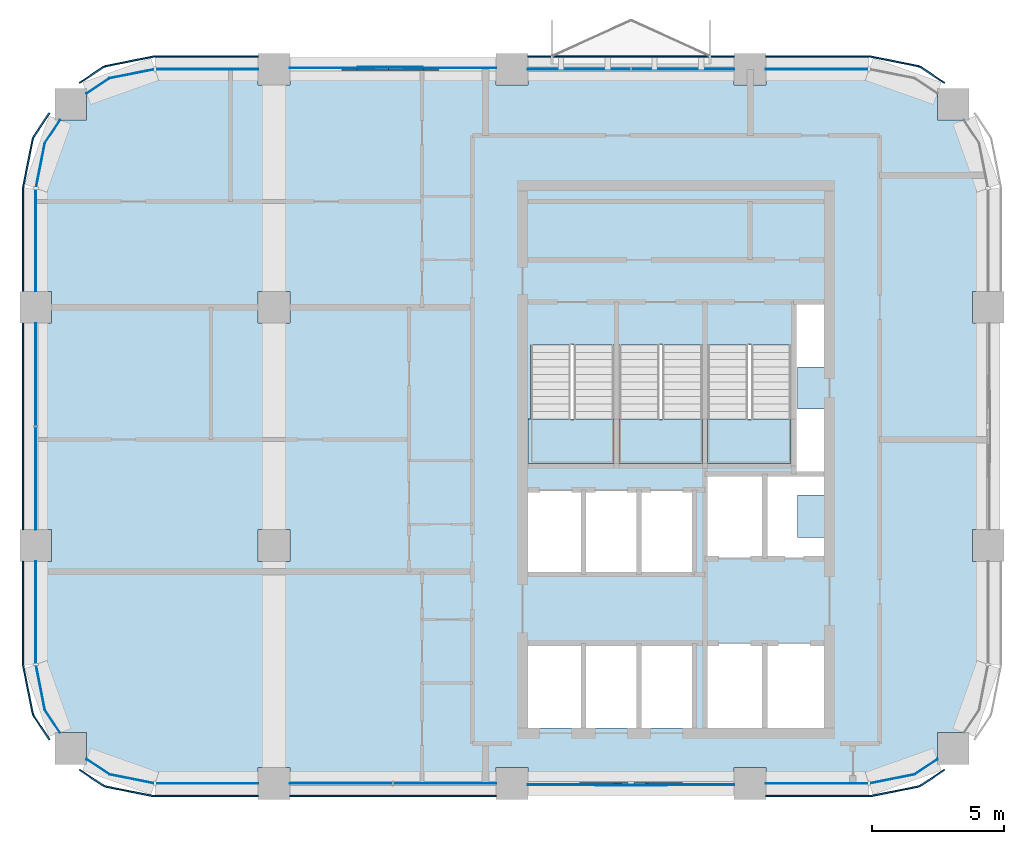
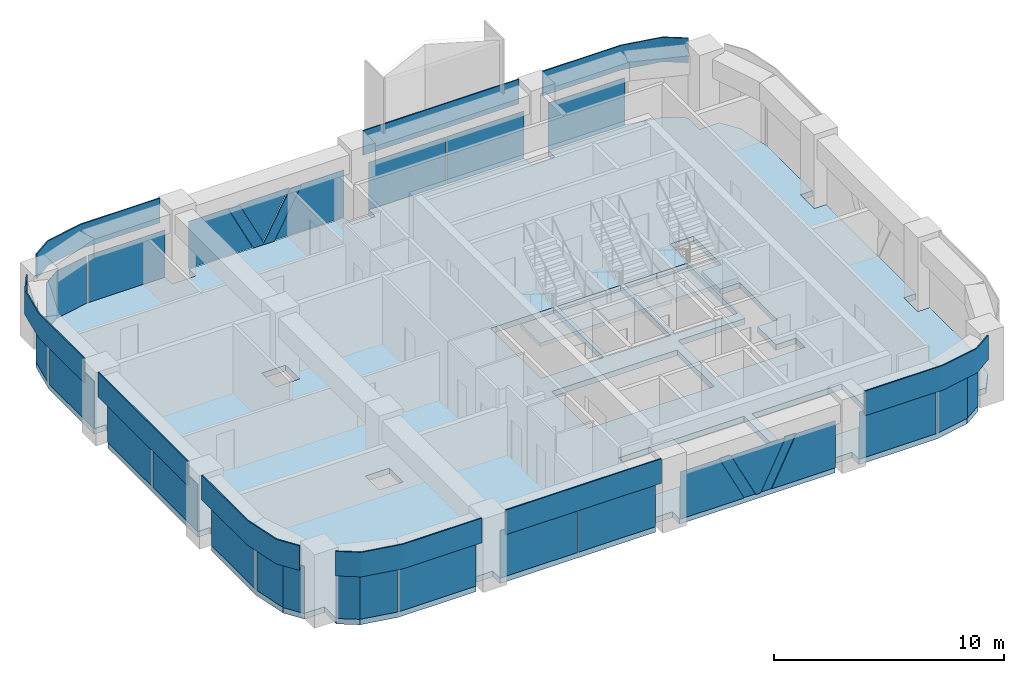
# One storey, part 5 of 10: 35 plates, 4 slabs, 14 elements without a shape of their own.
"""IFC4 building model written with IfcOpenShell, lengths in metres."""

from ifc_helpers import new_model, si_unit, direction, frame, origin, origin_2d, place, context, subcontext, project, spatial, polyline, rectangle, outline, extrude, material, layer, layer_set, type_object, element, aggregate, save


model = new_model("IFC4")

# Units and contexts
model_context = context("Model", 3, precision=1e-05, world=origin(), true_north=direction((0.0, 1.0)))
body_context = subcontext(model_context, "Body", "Model", "MODEL_VIEW")
ifc_project = project(units=[si_unit("LENGTHUNIT", "METRE"), si_unit("AREAUNIT", "SQUARE_METRE"), si_unit("VOLUMEUNIT", "CUBIC_METRE"), si_unit("PLANEANGLEUNIT", "RADIAN"), si_unit("MASSUNIT", "GRAM", prefix="KILO")], contexts=[model_context])

# Site, building, storey
site_placement = place(None, origin())
site = spatial("IfcSite", under=ifc_project, at=site_placement, CompositionType="ELEMENT")
building_placement = place(site_placement, origin())
building = spatial("IfcBuilding", under=site, at=building_placement, Name="Tessera Arch", CompositionType="ELEMENT")
storey_placement = place(building_placement, frame((0.0, 0.0, 242.300048828125)))
storey = spatial("IfcBuildingStorey", under=building, at=storey_placement, Name="L58", CompositionType="ELEMENT", Elevation=242.300048828125)

# Curtain wall, plates
ifc_material_1 = material(Name="CW1 curtain wall")
curtain_wall_type_1 = type_object("IfcCurtainWallType", Name="CW1 curtain wall", PredefinedType="NOTDEFINED", material=ifc_material_1)
curtain_wall_1_placement = place(storey_placement, origin())
curtain_wall_1 = element("IfcCurtainWall", 1, at=curtain_wall_1_placement, inside=storey, type_object=curtain_wall_type_1, Name="CW1 curtain wall N54.18/1 L58", PredefinedType="NOTDEFINED")
ifc_material_2 = material(Name="Clear low-e glass", Category="glass")
ifc_material_3 = material(Name="Clear low-e glass", Category="glass")
ifc_layer_1 = layer(ifc_material_3, 0.028076171875)
ifc_layer_set_1 = layer_set([ifc_layer_1], Name="CW1 glass panel")
plate_type_1 = type_object("IfcPlateType", Name="CW1 glass panel", PredefinedType="CURTAIN_PANEL", material=ifc_layer_set_1)
plate_1_placement = place(storey_placement, frame((42.465087890625, 54.0, 0.0), z_axis=(0.0, 0.0, 1.0), x_axis=(-1.0, 0.0, 0.0)))
plate_1 = element("IfcPlate", 2, at=plate_1_placement, type_object=plate_type_1, material=ifc_material_2, Name="CW1 glass panel N54.18/1 1.1.1", PredefinedType="CURTAIN_PANEL", context=body_context, shape_type="SweptSolid", body=[
    extrude(rectangle(XDim=3.8701171875, YDim=0.028076171875, at=origin_2d()), origin(), (0.0, 0.0, 1.0), 2.5),
])
plate_2_placement = place(storey_placement, frame((38.534912109375, 54.0, 0.0), z_axis=(0.0, 0.0, 1.0), x_axis=(-1.0, 0.0, 0.0)))
plate_2 = element("IfcPlate", 3, at=plate_2_placement, type_object=plate_type_1, material=ifc_material_2, Name="CW1 glass panel N54.18/1 1.2.1", PredefinedType="CURTAIN_PANEL", context=body_context, shape_type="SweptSolid", body=[
    extrude(rectangle(XDim=3.8701171875, YDim=0.028076171875, at=origin_2d()), origin(), (0.0, 0.0, 1.0), 2.5),
])

curtain_wall_2_placement = place(storey_placement, origin())
curtain_wall_2 = element("IfcCurtainWall", 4, at=curtain_wall_2_placement, inside=storey, type_object=curtain_wall_type_1, Name="CW1 curtain wall W18.27/1 L58", PredefinedType="NOTDEFINED")
plate_3_placement = place(storey_placement, frame((18.0, 42.465087890625, 0.0), z_axis=(0.0, 0.0, 1.0), x_axis=(0.0, -1.0, 0.0)))
plate_3 = element("IfcPlate", 5, at=plate_3_placement, type_object=plate_type_1, material=ifc_material_2, Name="CW1 glass panel W18.27/1 1.1.1", PredefinedType="CURTAIN_PANEL", context=body_context, shape_type="SweptSolid", body=[
    extrude(rectangle(XDim=3.8701171875, YDim=0.028076171875, at=origin_2d()), origin(), (0.0, 0.0, 1.0), 2.5),
])
plate_4_placement = place(storey_placement, frame((18.0, 38.534912109375, 0.0), z_axis=(0.0, 0.0, 1.0), x_axis=(0.0, -1.0, 0.0)))
plate_4 = element("IfcPlate", 6, at=plate_4_placement, type_object=plate_type_1, material=ifc_material_2, Name="CW1 glass panel W18.27/1 1.2.1", PredefinedType="CURTAIN_PANEL", context=body_context, shape_type="SweptSolid", body=[
    extrude(rectangle(XDim=3.8701171875, YDim=0.028076171875, at=origin_2d()), origin(), (0.0, 0.0, 1.0), 2.5),
])

curtain_wall_3_placement = place(storey_placement, origin())
curtain_wall_3 = element("IfcCurtainWall", 7, at=curtain_wall_3_placement, inside=storey, type_object=curtain_wall_type_1, Name="CW1 curtain wall S27.18/1 L58", PredefinedType="NOTDEFINED")
plate_5_placement = place(storey_placement, frame((29.534912109375, 27.0, 0.0), z_axis=(0.0, 0.0, 1.0), x_axis=(1.0, 0.0, 0.0)))
plate_5 = element("IfcPlate", 8, at=plate_5_placement, type_object=plate_type_1, material=ifc_material_2, Name="CW1 glass panel S27.18/1 1.1.1", PredefinedType="CURTAIN_PANEL", context=body_context, shape_type="SweptSolid", body=[
    extrude(rectangle(XDim=3.8701171875, YDim=0.028076171875, at=origin_2d()), origin(), (0.0, 0.0, 1.0), 2.5),
])
plate_6_placement = place(storey_placement, frame((33.465087890625, 27.0, 0.0), z_axis=(0.0, 0.0, 1.0), x_axis=(1.0, 0.0, 0.0)))
plate_6 = element("IfcPlate", 9, at=plate_6_placement, type_object=plate_type_1, material=ifc_material_2, Name="CW1 glass panel S27.18/1 1.2.1", PredefinedType="CURTAIN_PANEL", context=body_context, shape_type="SweptSolid", body=[
    extrude(rectangle(XDim=3.8701171875, YDim=0.028076171875, at=origin_2d()), origin(), (0.0, 0.0, 1.0), 2.5),
])

# Plate
ifc_material_4 = material(Name="Pale anodised aluminium panel", Category="aluminium")
ifc_layer_2 = layer(ifc_material_4, 0.06005859375)
ifc_layer_set_2 = layer_set([ifc_layer_2], Name="CW1 spandrel panel")
plate_type_2 = type_object("IfcPlateType", Name="CW1 spandrel panel", PredefinedType="CURTAIN_PANEL", material=ifc_layer_set_2)
plate_7_placement = place(storey_placement, frame((40.5, 54.47998046875, 2.60009765625), z_axis=(0.0, 0.0, 1.0), x_axis=(-1.0, 0.0, 0.0)))
plate_7 = element("IfcPlate", 10, at=plate_7_placement, type_object=plate_type_2, Name="CW1 spandrel panel N54.18/1", PredefinedType="CURTAIN_PANEL", context=body_context, shape_type="SweptSolid", body=[
    extrude(rectangle(XDim=7.800048828125, YDim=0.06005859375, at=origin_2d()), origin(), (0.0, 0.0, 1.0), 1.300048828125),
])

aggregate(curtain_wall_1, [plate_1, plate_2, plate_7])

plate_8_placement = place(storey_placement, frame((17.52001953125, 40.5, 2.60009765625), z_axis=(0.0, 0.0, 1.0), x_axis=(0.0, -1.0, 0.0)))
plate_8 = element("IfcPlate", 11, at=plate_8_placement, type_object=plate_type_2, Name="CW1 spandrel panel W18.27/1", PredefinedType="CURTAIN_PANEL", context=body_context, shape_type="SweptSolid", body=[
    extrude(rectangle(XDim=7.800048828125, YDim=0.06005859375, at=origin_2d()), origin(), (0.0, 0.0, 1.0), 1.300048828125),
])

aggregate(curtain_wall_2, [plate_3, plate_4, plate_8])

plate_9_placement = place(storey_placement, frame((31.5, 26.52001953125, 2.60009765625), z_axis=(0.0, 0.0, 1.0), x_axis=(1.0, 0.0, 0.0)))
plate_9 = element("IfcPlate", 12, at=plate_9_placement, type_object=plate_type_2, Name="CW1 spandrel panel S27.18/1", PredefinedType="CURTAIN_PANEL", context=body_context, shape_type="SweptSolid", body=[
    extrude(rectangle(XDim=7.800048828125, YDim=0.06005859375, at=origin_2d()), origin(), (0.0, 0.0, 1.0), 1.300048828125),
])

aggregate(curtain_wall_3, [plate_5, plate_6, plate_9])

# Curtain wall, plate
ifc_material_5 = material(Name="CW2 curtain wall")
curtain_wall_type_2 = type_object("IfcCurtainWallType", Name="CW2 curtain wall", PredefinedType="NOTDEFINED", material=ifc_material_5)
curtain_wall_4_placement = place(storey_placement, origin())
curtain_wall_4 = element("IfcCurtainWall", 13, at=curtain_wall_4_placement, inside=storey, type_object=curtain_wall_type_2, Name="CW2 curtain wall N54.18/0 L58", PredefinedType="NOTDEFINED")
ifc_material_6 = material(Name="Clear low-e glass", Category="glass")
ifc_layer_3 = layer(ifc_material_6, 0.028076171875)
ifc_layer_set_3 = layer_set([ifc_layer_3], Name="CW2 glass panel")
plate_type_3 = type_object("IfcPlateType", Name="CW2 glass panel", PredefinedType="CURTAIN_PANEL", material=ifc_layer_set_3)
plate_10_placement = place(storey_placement, frame((47.530029296875, 54.0, 0.0), z_axis=(0.0, 0.0, 1.0), x_axis=(-1.0, 0.0, 0.0)))
plate_10 = element("IfcPlate", 14, at=plate_10_placement, type_object=plate_type_3, material=ifc_material_2, Name="CW2 glass panel N54.18/0 1.1", PredefinedType="CURTAIN_PANEL", context=body_context, shape_type="SweptSolid", body=[
    extrude(rectangle(XDim=3.860107421875, YDim=0.028076171875, at=origin_2d()), origin(), (0.0, 0.0, 1.0), 2.5),
])

# Curtain wall, plates
curtain_wall_5_placement = place(storey_placement, origin())
curtain_wall_5 = element("IfcCurtainWall", 15, at=curtain_wall_5_placement, inside=storey, type_object=curtain_wall_type_2, Name="CW2 curtain wall N54.18/3 L58", PredefinedType="NOTDEFINED")
plate_11_placement = place(storey_placement, frame((24.469970703125, 54.0, 0.0), z_axis=(0.0, 0.0, 1.0), x_axis=(-1.0, 0.0, 0.0)))
plate_11 = element("IfcPlate", 16, at=plate_11_placement, type_object=plate_type_3, material=ifc_material_2, Name="CW2 glass panel N54.18/3 1.1", PredefinedType="CURTAIN_PANEL", context=body_context, shape_type="SweptSolid", body=[
    extrude(rectangle(XDim=3.860107421875, YDim=0.028076171875, at=origin_2d()), origin(), (0.0, 0.0, 1.0), 2.5),
])
plate_12_placement = place(storey_placement, origin())
plate_12 = element("IfcPlate", 17, at=plate_12_placement, type_object=plate_type_3, material=ifc_material_2, Name="CW2 curved glass panel N54.18/3 2.1", PredefinedType="CURTAIN_PANEL", context=body_context, shape_type="SweptSolid", body=[
    extrude(outline(polyline([(20.783447265625, 53.644287109375), (22.46337890625, 53.978515625), (22.4580078125, 54.005859375), (20.7724609375, 53.670654296875), (19.91015625, 53.094482421875), (19.92578125, 53.0712890625), (20.783447265625, 53.644287109375)])), origin(), (0.0, 0.0, 1.0), 2.5),
])

curtain_wall_6_placement = place(storey_placement, origin())
curtain_wall_6 = element("IfcCurtainWall", 18, at=curtain_wall_6_placement, inside=storey, type_object=curtain_wall_type_2, Name="CW2 curtain wall W18.27/0 L58", PredefinedType="NOTDEFINED")
plate_13_placement = place(storey_placement, frame((18.0, 47.530029296875, 0.0), z_axis=(0.0, 0.0, 1.0), x_axis=(0.0, -1.0, 0.0)))
plate_13 = element("IfcPlate", 19, at=plate_13_placement, type_object=plate_type_3, material=ifc_material_2, Name="CW2 glass panel W18.27/0 1.1", PredefinedType="CURTAIN_PANEL", context=body_context, shape_type="SweptSolid", body=[
    extrude(rectangle(XDim=3.860107421875, YDim=0.028076171875, at=origin_2d()), origin(), (0.0, 0.0, 1.0), 2.5),
])
plate_14_placement = place(storey_placement, origin())
plate_14 = element("IfcPlate", 20, at=plate_14_placement, type_object=plate_type_3, material=ifc_material_2, Name="CW2 curved glass panel W18.27/0 2.1", PredefinedType="CURTAIN_PANEL", context=body_context, shape_type="SweptSolid", body=[
    extrude(outline(polyline([(18.355712890625, 51.216552734375), (18.9287109375, 52.07421875), (18.905517578125, 52.08984375), (18.329345703125, 51.2275390625), (17.994140625, 49.5419921875), (18.021484375, 49.53662109375), (18.355712890625, 51.216552734375)])), origin(), (0.0, 0.0, 1.0), 2.5),
])

curtain_wall_7_placement = place(storey_placement, origin())
curtain_wall_7 = element("IfcCurtainWall", 21, at=curtain_wall_7_placement, inside=storey, type_object=curtain_wall_type_2, Name="CW2 curtain wall W18.27/2 L58", PredefinedType="NOTDEFINED")
plate_15_placement = place(storey_placement, frame((18.0, 33.469970703125, 0.0), z_axis=(0.0, 0.0, 1.0), x_axis=(0.0, -1.0, 0.0)))
plate_15 = element("IfcPlate", 22, at=plate_15_placement, type_object=plate_type_3, material=ifc_material_2, Name="CW2 glass panel W18.27/2 1.1", PredefinedType="CURTAIN_PANEL", context=body_context, shape_type="SweptSolid", body=[
    extrude(rectangle(XDim=3.860107421875, YDim=0.028076171875, at=origin_2d()), origin(), (0.0, 0.0, 1.0), 2.5),
])
plate_16_placement = place(storey_placement, origin())
plate_16 = element("IfcPlate", 23, at=plate_16_placement, type_object=plate_type_3, material=ifc_material_2, Name="CW2 curved glass panel W18.27/2 2.1", PredefinedType="CURTAIN_PANEL", context=body_context, shape_type="SweptSolid", body=[
    extrude(outline(polyline([(18.355712890625, 29.783447265625), (18.021484375, 31.46337890625), (17.994140625, 31.4580078125), (18.329345703125, 29.7724609375), (18.905517578125, 28.91015625), (18.9287109375, 28.92578125), (18.355712890625, 29.783447265625)])), origin(), (0.0, 0.0, 1.0), 2.5),
])

curtain_wall_8_placement = place(storey_placement, origin())
curtain_wall_8 = element("IfcCurtainWall", 24, at=curtain_wall_8_placement, inside=storey, type_object=curtain_wall_type_2, Name="CW2 curtain wall S27.18/0 L58", PredefinedType="NOTDEFINED")
plate_17_placement = place(storey_placement, frame((24.469970703125, 27.0, 0.0), z_axis=(0.0, 0.0, 1.0), x_axis=(1.0, 0.0, 0.0)))
plate_17 = element("IfcPlate", 25, at=plate_17_placement, type_object=plate_type_3, material=ifc_material_2, Name="CW2 glass panel S27.18/0 1.1", PredefinedType="CURTAIN_PANEL", context=body_context, shape_type="SweptSolid", body=[
    extrude(rectangle(XDim=3.860107421875, YDim=0.028076171875, at=origin_2d()), origin(), (0.0, 0.0, 1.0), 2.5),
])
plate_18_placement = place(storey_placement, origin())
plate_18 = element("IfcPlate", 26, at=plate_18_placement, type_object=plate_type_3, material=ifc_material_2, Name="CW2 curved glass panel S27.18/0 2.1", PredefinedType="CURTAIN_PANEL", context=body_context, shape_type="SweptSolid", body=[
    extrude(outline(polyline([(20.783447265625, 27.355712890625), (19.92578125, 27.9287109375), (19.91015625, 27.905517578125), (20.7724609375, 27.329345703125), (22.4580078125, 26.994140625), (22.46337890625, 27.021484375), (20.783447265625, 27.355712890625)])), origin(), (0.0, 0.0, 1.0), 2.5),
])

curtain_wall_9_placement = place(storey_placement, origin())
curtain_wall_9 = element("IfcCurtainWall", 27, at=curtain_wall_9_placement, inside=storey, type_object=curtain_wall_type_2, Name="CW2 curtain wall S27.18/3 L58", PredefinedType="NOTDEFINED")
plate_19_placement = place(storey_placement, frame((47.530029296875, 27.0, 0.0), z_axis=(0.0, 0.0, 1.0), x_axis=(1.0, 0.0, 0.0)))
plate_19 = element("IfcPlate", 28, at=plate_19_placement, type_object=plate_type_3, material=ifc_material_2, Name="CW2 glass panel S27.18/3 1.1", PredefinedType="CURTAIN_PANEL", context=body_context, shape_type="SweptSolid", body=[
    extrude(rectangle(XDim=3.860107421875, YDim=0.028076171875, at=origin_2d()), origin(), (0.0, 0.0, 1.0), 2.5),
])
plate_20_placement = place(storey_placement, origin())
plate_20 = element("IfcPlate", 29, at=plate_20_placement, type_object=plate_type_3, material=ifc_material_2, Name="CW2 curved glass panel S27.18/3 2.1", PredefinedType="CURTAIN_PANEL", context=body_context, shape_type="SweptSolid", body=[
    extrude(outline(polyline([(51.216552734375, 27.355712890625), (49.53662109375, 27.021484375), (49.5419921875, 26.994140625), (51.2275390625, 27.329345703125), (52.08984375, 27.905517578125), (52.07421875, 27.9287109375), (51.216552734375, 27.355712890625)])), origin(), (0.0, 0.0, 1.0), 2.5),
])

# Plate
ifc_material_7 = material(Name="Pale anodised aluminium panel", Category="aluminium")
ifc_layer_4 = layer(ifc_material_7, 0.06005859375)
ifc_layer_set_4 = layer_set([ifc_layer_4], Name="CW2 spandrel panel")
plate_type_4 = type_object("IfcPlateType", Name="CW2 spandrel panel", PredefinedType="CURTAIN_PANEL", material=ifc_layer_set_4)
plate_21_placement = place(storey_placement, frame((0.0, 0.0, 2.599853515625)))
plate_21 = element("IfcPlate", 30, at=plate_21_placement, type_object=plate_type_4, Name="CW2 spandrel panel N54.18/0", PredefinedType="CURTAIN_PANEL", context=body_context, shape_type="SweptSolid", body=[
    extrude(outline(polyline([(51.47265625, 54.03125), (52.33203125, 53.45703125), (52.365234375, 53.5068359375), (51.5048828125, 54.08203125), (51.462646484375, 54.107421875), (51.417236328125, 54.128662109375), (51.3701171875, 54.1455078125), (51.322265625, 54.157470703125), (49.598876953125, 54.500244140625), (49.550048828125, 54.507568359375), (49.500732421875, 54.510009765625), (45.60009765625, 54.510009765625), (45.60009765625, 54.449951171875), (49.499267578125, 54.449951171875), (49.544189453125, 54.44775390625), (49.588623046875, 54.441162109375), (51.30908203125, 54.09912109375), (51.352783203125, 54.088134765625), (51.394287109375, 54.0732421875), (51.434326171875, 54.054443359375), (51.47265625, 54.03125)])), origin(), (0.0, 0.0, 1.0), 1.300048828125),
])

aggregate(curtain_wall_4, [plate_10, plate_21])

plate_22_placement = place(storey_placement, frame((0.0, 0.0, 2.599853515625)))
plate_22 = element("IfcPlate", 31, at=plate_22_placement, type_object=plate_type_4, Name="CW2 spandrel panel N54.18/3", PredefinedType="CURTAIN_PANEL", context=body_context, shape_type="SweptSolid", body=[
    extrude(outline(polyline([(22.500732421875, 54.449951171875), (26.39990234375, 54.449951171875), (26.39990234375, 54.510009765625), (22.499267578125, 54.510009765625), (22.449951171875, 54.507568359375), (22.401123046875, 54.500244140625), (20.677734375, 54.157470703125), (20.6298828125, 54.1455078125), (20.582763671875, 54.128662109375), (20.537353515625, 54.107421875), (20.4951171875, 54.08203125), (19.634765625, 53.5068359375), (19.66796875, 53.45703125), (20.52734375, 54.03125), (20.565673828125, 54.054443359375), (20.605712890625, 54.0732421875), (20.647216796875, 54.088134765625), (20.69091796875, 54.09912109375), (22.411376953125, 54.441162109375), (22.455810546875, 54.44775390625), (22.500732421875, 54.449951171875)])), origin(), (0.0, 0.0, 1.0), 1.300048828125),
])

aggregate(curtain_wall_5, [plate_11, plate_12, plate_22])

plate_23_placement = place(storey_placement, frame((0.0, 0.0, 2.599853515625)))
plate_23 = element("IfcPlate", 32, at=plate_23_placement, type_object=plate_type_4, Name="CW2 spandrel panel W18.27/0", PredefinedType="CURTAIN_PANEL", context=body_context, shape_type="SweptSolid", body=[
    extrude(outline(polyline([(17.96875, 51.47265625), (18.54296875, 52.33203125), (18.4931640625, 52.365234375), (17.91796875, 51.5048828125), (17.892578125, 51.462646484375), (17.871337890625, 51.417236328125), (17.8544921875, 51.3701171875), (17.842529296875, 51.322265625), (17.499755859375, 49.598876953125), (17.492431640625, 49.550048828125), (17.489990234375, 49.500732421875), (17.489990234375, 45.60009765625), (17.550048828125, 45.60009765625), (17.550048828125, 49.499267578125), (17.55224609375, 49.544189453125), (17.558837890625, 49.588623046875), (17.90087890625, 51.30908203125), (17.911865234375, 51.352783203125), (17.9267578125, 51.394287109375), (17.945556640625, 51.434326171875), (17.96875, 51.47265625)])), origin(), (0.0, 0.0, 1.0), 1.300048828125),
])

aggregate(curtain_wall_6, [plate_13, plate_14, plate_23])

plate_24_placement = place(storey_placement, frame((0.0, 0.0, 2.599853515625)))
plate_24 = element("IfcPlate", 33, at=plate_24_placement, type_object=plate_type_4, Name="CW2 spandrel panel W18.27/2", PredefinedType="CURTAIN_PANEL", context=body_context, shape_type="SweptSolid", body=[
    extrude(outline(polyline([(17.550048828125, 31.500732421875), (17.550048828125, 35.39990234375), (17.489990234375, 35.39990234375), (17.489990234375, 31.499267578125), (17.492431640625, 31.449951171875), (17.499755859375, 31.401123046875), (17.842529296875, 29.677734375), (17.8544921875, 29.6298828125), (17.871337890625, 29.582763671875), (17.892578125, 29.537353515625), (17.91796875, 29.4951171875), (18.4931640625, 28.634765625), (18.54296875, 28.66796875), (17.96875, 29.52734375), (17.945556640625, 29.565673828125), (17.9267578125, 29.605712890625), (17.911865234375, 29.647216796875), (17.90087890625, 29.69091796875), (17.558837890625, 31.411376953125), (17.55224609375, 31.455810546875), (17.550048828125, 31.500732421875)])), origin(), (0.0, 0.0, 1.0), 1.300048828125),
])

aggregate(curtain_wall_7, [plate_15, plate_16, plate_24])

plate_25_placement = place(storey_placement, frame((0.0, 0.0, 2.599853515625)))
plate_25 = element("IfcPlate", 34, at=plate_25_placement, type_object=plate_type_4, Name="CW2 spandrel panel S27.18/0", PredefinedType="CURTAIN_PANEL", context=body_context, shape_type="SweptSolid", body=[
    extrude(outline(polyline([(20.52734375, 26.96875), (19.66796875, 27.54296875), (19.634765625, 27.4931640625), (20.4951171875, 26.91796875), (20.537353515625, 26.892578125), (20.582763671875, 26.871337890625), (20.6298828125, 26.8544921875), (20.677734375, 26.842529296875), (22.401123046875, 26.499755859375), (22.449951171875, 26.492431640625), (22.499267578125, 26.489990234375), (26.39990234375, 26.489990234375), (26.39990234375, 26.550048828125), (22.500732421875, 26.550048828125), (22.455810546875, 26.55224609375), (22.411376953125, 26.558837890625), (20.69091796875, 26.90087890625), (20.647216796875, 26.911865234375), (20.605712890625, 26.9267578125), (20.565673828125, 26.945556640625), (20.52734375, 26.96875)])), origin(), (0.0, 0.0, 1.0), 1.300048828125),
])

aggregate(curtain_wall_8, [plate_17, plate_18, plate_25])

plate_26_placement = place(storey_placement, frame((0.0, 0.0, 2.599853515625)))
plate_26 = element("IfcPlate", 35, at=plate_26_placement, type_object=plate_type_4, Name="CW2 spandrel panel S27.18/3", PredefinedType="CURTAIN_PANEL", context=body_context, shape_type="SweptSolid", body=[
    extrude(outline(polyline([(49.499267578125, 26.550048828125), (45.60009765625, 26.550048828125), (45.60009765625, 26.489990234375), (49.500732421875, 26.489990234375), (49.550048828125, 26.492431640625), (49.598876953125, 26.499755859375), (51.322265625, 26.842529296875), (51.3701171875, 26.8544921875), (51.417236328125, 26.871337890625), (51.462646484375, 26.892578125), (51.5048828125, 26.91796875), (52.365234375, 27.4931640625), (52.33203125, 27.54296875), (51.47265625, 26.96875), (51.434326171875, 26.945556640625), (51.394287109375, 26.9267578125), (51.352783203125, 26.911865234375), (51.30908203125, 26.90087890625), (49.588623046875, 26.558837890625), (49.544189453125, 26.55224609375), (49.499267578125, 26.550048828125)])), origin(), (0.0, 0.0, 1.0), 1.300048828125),
])

aggregate(curtain_wall_9, [plate_19, plate_20, plate_26])

# Curtain wall, plate
ifc_material_8 = material(Name="CW3 curtain wall")
curtain_wall_type_3 = type_object("IfcCurtainWallType", Name="CW3 curtain wall", PredefinedType="NOTDEFINED", material=ifc_material_8)
curtain_wall_10_placement = place(storey_placement, origin())
curtain_wall_10 = element("IfcCurtainWall", 36, at=curtain_wall_10_placement, inside=storey, type_object=curtain_wall_type_3, Name="CW3 curtain wall N54.18/2 L58", PredefinedType="NOTDEFINED")
ifc_material_9 = material(Name="Pale anodised aluminium panel", Category="aluminium")
ifc_layer_5 = layer(ifc_material_9, 0.06005859375)
ifc_layer_set_5 = layer_set([ifc_layer_5], Name="CW3 diagonal panel")
plate_type_5 = type_object("IfcPlateType", Name="CW3 diagonal panel", PredefinedType="CURTAIN_PANEL", material=ifc_layer_set_5)
plate_27_placement = place(storey_placement, frame((29.567626953125, 54.030029296875, 2.5), z_axis=(0.0, 1.0, 0.0), x_axis=(1.0, 0.0, 0.0)))
plate_27 = element("IfcPlate", 37, at=plate_27_placement, type_object=plate_type_5, Name="CW3 diagonal panel N54.18/2 1", PredefinedType="CURTAIN_PANEL", context=body_context, shape_type="SweptSolid", body=[
    extrude(outline(polyline([(0.0, 0.0), (0.564697265625, 0.0), (1.76953125, 2.409912109375), (3.086181640625, 0.0), (3.66162109375, 0.0), (2.2958984375, 2.5), (1.25, 2.5), (0.0, 0.0)])), origin(), (0.0, 0.0, -1.0), 0.06005859375),
])

# Curtain wall, plates
curtain_wall_11_placement = place(storey_placement, origin())
curtain_wall_11 = element("IfcCurtainWall", 38, at=curtain_wall_11_placement, inside=storey, type_object=curtain_wall_type_3, Name="CW3 curtain wall S27.18/2 L58", PredefinedType="NOTDEFINED")
plate_28_placement = place(storey_placement, frame((42.432373046875, 26.969970703125, 2.5), z_axis=(0.0, -1.0, 0.0), x_axis=(-1.0, 0.0, 0.0)))
plate_28 = element("IfcPlate", 39, at=plate_28_placement, type_object=plate_type_5, Name="CW3 diagonal panel S27.18/2 1", PredefinedType="CURTAIN_PANEL", context=body_context, shape_type="SweptSolid", body=[
    extrude(outline(polyline([(0.0, 0.0), (0.564697265625, 0.0), (1.814697265625, 2.5), (1.25, 2.5), (0.0, 0.0)])), origin(), (0.0, 0.0, -1.0), 0.06005859375),
])
plate_29_placement = place(storey_placement, frame((39.13232421875, 26.969970703125, 2.5), z_axis=(0.0, -1.0, 0.0), x_axis=(-1.0, 0.0, 0.0)))
plate_29 = element("IfcPlate", 40, at=plate_29_placement, type_object=plate_type_5, Name="CW3 diagonal panel S27.18/2 2", PredefinedType="CURTAIN_PANEL", context=body_context, shape_type="SweptSolid", body=[
    extrude(outline(polyline([(0.0, 0.0), (0.564697265625, 0.0), (-0.685302734375, 2.5), (-1.25, 2.5), (0.0, 0.0)])), origin(), (0.0, 0.0, -1.0), 0.06005859375),
])

# Plate
ifc_material_10 = material(Name="Clear low-e glass", Category="glass")
ifc_layer_6 = layer(ifc_material_10, 0.028076171875)
ifc_layer_set_6 = layer_set([ifc_layer_6], Name="CW3 glass panel")
plate_type_6 = type_object("IfcPlateType", Name="CW3 glass panel", PredefinedType="CURTAIN_PANEL", material=ifc_layer_set_6)
plate_30_placement = place(storey_placement, frame((35.39990234375, 54.05810546875, 0.0), z_axis=(0.0, 1.0, 0.0), x_axis=(-1.0, 0.0, 0.0)))
plate_30 = element("IfcPlate", 41, at=plate_30_placement, type_object=plate_type_6, material=ifc_material_2, Name="CW3 triangulated glass panel N54.18/2 1", PredefinedType="CURTAIN_PANEL", context=body_context, shape_type="SweptSolid", body=[
    extrude(outline(polyline([(0.0, 0.0), (3.536376953125, 0.0), (2.170654296875, 2.5), (0.0, 2.5), (0.0, 0.0)])), origin(), (0.0, 0.0, -1.0), 0.028076171875),
])

plate_31_placement = place(storey_placement, frame((30.13232421875, 54.0859375, 2.5), z_axis=(0.0, 1.0, 0.0), x_axis=(1.0, 0.0, 0.0)))
plate_31 = element("IfcPlate", 42, at=plate_31_placement, type_object=plate_type_6, material=ifc_material_2, Name="CW3 triangulated glass panel N54.18/2 2", PredefinedType="CURTAIN_PANEL", context=body_context, shape_type="SweptSolid", body=[
    extrude(outline(polyline([(0.0, 0.0), (2.521484375, 0.0), (1.204833984375, 2.409912109375), (0.0, 0.0)])), origin(), (0.0, 0.0, -1.0), 0.028076171875),
])

plate_32_placement = place(storey_placement, frame((27.60009765625, 54.05810546875, 2.5), z_axis=(0.0, 1.0, 0.0), x_axis=(1.0, 0.0, 0.0)))
plate_32 = element("IfcPlate", 43, at=plate_32_placement, type_object=plate_type_6, material=ifc_material_2, Name="CW3 triangulated glass panel N54.18/2 3", PredefinedType="CURTAIN_PANEL", context=body_context, shape_type="SweptSolid", body=[
    extrude(outline(polyline([(0.0, 0.0), (1.967529296875, 0.0), (3.217529296875, 2.5), (0.0, 2.5), (0.0, 0.0)])), origin(), (0.0, 0.0, -1.0), 0.028076171875),
])

aggregate(curtain_wall_10, [plate_30, plate_31, plate_32, plate_27])

plate_33_placement = place(storey_placement, frame((36.60009765625, 26.94189453125, 0.0), z_axis=(0.0, -1.0, 0.0), x_axis=(1.0, 0.0, 0.0)))
plate_33 = element("IfcPlate", 44, at=plate_33_placement, type_object=plate_type_6, material=ifc_material_2, Name="CW3 triangulated glass panel S27.18/2 1", PredefinedType="CURTAIN_PANEL", context=body_context, shape_type="SweptSolid", body=[
    extrude(outline(polyline([(0.0, 0.0), (3.217529296875, 0.0), (1.967529296875, 2.5), (0.0, 2.5), (0.0, 0.0)])), origin(), (0.0, 0.0, -1.0), 0.028076171875),
])

plate_34_placement = place(storey_placement, frame((41.86767578125, 26.9140625, 2.5), z_axis=(0.0, -1.0, 0.0), x_axis=(-1.0, 0.0, 0.0)))
plate_34 = element("IfcPlate", 45, at=plate_34_placement, type_object=plate_type_6, material=ifc_material_2, Name="CW3 triangulated glass panel S27.18/2 2", PredefinedType="CURTAIN_PANEL", context=body_context, shape_type="SweptSolid", body=[
    extrude(outline(polyline([(0.0, 0.0), (2.7353515625, 0.0), (1.4853515625, 2.5), (1.25, 2.5), (0.0, 0.0)])), origin(), (0.0, 0.0, -1.0), 0.028076171875),
])

plate_35_placement = place(storey_placement, frame((44.39990234375, 26.94189453125, 2.5), z_axis=(0.0, -1.0, 0.0), x_axis=(-1.0, 0.0, 0.0)))
plate_35 = element("IfcPlate", 46, at=plate_35_placement, type_object=plate_type_6, material=ifc_material_2, Name="CW3 triangulated glass panel S27.18/2 3", PredefinedType="CURTAIN_PANEL", context=body_context, shape_type="SweptSolid", body=[
    extrude(outline(polyline([(0.0, 0.0), (1.967529296875, 0.0), (3.217529296875, 2.5), (0.0, 2.5), (0.0, 0.0)])), origin(), (0.0, 0.0, -1.0), 0.028076171875),
])

aggregate(curtain_wall_11, [plate_33, plate_34, plate_35, plate_28, plate_29])

# Slab
ifc_material_11 = material(Name="Concrete C40/50", Category="concrete")
ifc_layer_7 = layer(ifc_material_11, 0.300048828125)
ifc_layer_set_7 = layer_set([ifc_layer_7], Name="Floor slab 300 Concrete C40/50")
slab_type_1 = type_object("IfcSlabType", Name="Floor slab 300 Concrete C40/50", PredefinedType="FLOOR", material=ifc_layer_set_7)
slab_1_placement = place(storey_placement, frame((0.0, 0.0, -0.300048828125)))
element("IfcSlab", 47, at=slab_1_placement, inside=storey, type_object=slab_type_1, Name="Floor slab L58 1", PredefinedType="FLOOR", context=body_context, shape_type="SweptSolid", body=[
    extrude(outline(polyline([(54.0, 31.5), (53.657470703125, 29.77783203125), (53.0830078125, 28.91796875), (52.08203125, 28.91796875), (52.08203125, 27.9169921875), (51.22216796875, 27.342529296875), (49.5, 27.0), (45.60009765625, 27.0), (45.60009765625, 27.60009765625), (44.39990234375, 27.60009765625), (44.39990234375, 27.0), (36.60009765625, 27.0), (36.60009765625, 27.60009765625), (35.39990234375, 27.60009765625), (35.39990234375, 27.0), (27.60009765625, 27.0), (27.60009765625, 27.60009765625), (26.39990234375, 27.60009765625), (26.39990234375, 27.0), (22.5, 27.0), (20.77783203125, 27.342529296875), (19.91796875, 27.9169921875), (19.91796875, 28.91796875), (18.9169921875, 28.91796875), (18.342529296875, 29.77783203125), (18.0, 31.5), (18.0, 35.39990234375), (18.60009765625, 35.39990234375), (18.60009765625, 36.60009765625), (18.0, 36.60009765625), (18.0, 44.39990234375), (18.60009765625, 44.39990234375), (18.60009765625, 45.60009765625), (18.0, 45.60009765625), (18.0, 49.5), (18.342529296875, 51.22216796875), (18.9169921875, 52.08203125), (19.91796875, 52.08203125), (19.91796875, 53.0830078125), (20.77783203125, 53.657470703125), (22.5, 54.0), (26.39990234375, 54.0), (26.39990234375, 53.39990234375), (27.60009765625, 53.39990234375), (27.60009765625, 54.0), (35.39990234375, 54.0), (35.39990234375, 53.39990234375), (36.60009765625, 53.39990234375), (36.60009765625, 54.0), (44.39990234375, 54.0), (44.39990234375, 53.39990234375), (45.60009765625, 53.39990234375), (45.60009765625, 54.0), (49.5, 54.0), (51.22216796875, 53.657470703125), (52.08203125, 53.0830078125), (52.08203125, 52.08203125), (53.0830078125, 52.08203125), (53.657470703125, 51.22216796875), (54.0, 49.5), (54.0, 45.60009765625), (53.39990234375, 45.60009765625), (53.39990234375, 44.39990234375), (54.0, 44.39990234375), (54.0, 36.60009765625), (53.39990234375, 36.60009765625), (53.39990234375, 35.39990234375), (54.0, 35.39990234375), (54.0, 31.5)]), holes=[polyline([(40.800048828125, 29.10009765625), (42.89990234375, 29.10009765625), (42.89990234375, 32.300048828125), (40.800048828125, 32.300048828125), (38.699951171875, 32.300048828125), (36.60009765625, 32.300048828125), (36.60009765625, 29.10009765625), (38.699951171875, 29.10009765625), (40.800048828125, 29.10009765625)]), polyline([(27.60009765625, 35.39990234375), (27.60009765625, 36.60009765625), (26.39990234375, 36.60009765625), (26.39990234375, 35.39990234375), (27.60009765625, 35.39990234375)]), polyline([(40.800048828125, 34.89990234375), (42.89990234375, 34.89990234375), (42.89990234375, 38.10009765625), (40.800048828125, 38.10009765625), (38.699951171875, 38.10009765625), (36.60009765625, 38.10009765625), (36.60009765625, 34.89990234375), (38.699951171875, 34.89990234375), (40.800048828125, 34.89990234375)]), polyline([(38.219970703125, 43.580078125), (38.219970703125, 43.570068359375), (36.699951171875, 43.570068359375), (36.699951171875, 39.199951171875), (39.85009765625, 39.199951171875), (39.85009765625, 43.570068359375), (38.330078125, 43.570068359375), (38.330078125, 43.580078125), (38.219970703125, 43.580078125)]), polyline([(27.60009765625, 44.39990234375), (27.60009765625, 45.60009765625), (26.39990234375, 45.60009765625), (26.39990234375, 44.39990234375), (27.60009765625, 44.39990234375)]), polyline([(47.800048828125, 32.300048828125), (45.550048828125, 32.300048828125), (43.300048828125, 32.300048828125), (43.300048828125, 29.10009765625), (45.550048828125, 29.10009765625), (47.800048828125, 29.10009765625), (47.800048828125, 32.300048828125)]), polyline([(46.64990234375, 38.699951171875), (45.550048828125, 38.699951171875), (43.300048828125, 38.699951171875), (43.300048828125, 35.5), (45.550048828125, 35.5), (47.800048828125, 35.5), (47.800048828125, 36.300048828125), (46.800048828125, 36.300048828125), (46.800048828125, 37.89990234375), (47.800048828125, 37.89990234375), (47.800048828125, 38.699951171875), (47.800048828125, 41.14990234375), (46.800048828125, 41.14990234375), (46.800048828125, 42.75), (47.800048828125, 42.75), (47.800048828125, 45.199951171875), (46.64990234375, 45.199951171875), (46.64990234375, 38.699951171875)]), polyline([(41.570068359375, 43.580078125), (41.570068359375, 43.570068359375), (40.050048828125, 43.570068359375), (40.050048828125, 39.199951171875), (43.199951171875, 39.199951171875), (43.199951171875, 43.570068359375), (41.679931640625, 43.570068359375), (41.679931640625, 43.580078125), (41.570068359375, 43.580078125)]), polyline([(44.919921875, 43.580078125), (44.919921875, 43.570068359375), (43.39990234375, 43.570068359375), (43.39990234375, 39.199951171875), (46.550048828125, 39.199951171875), (46.550048828125, 43.570068359375), (45.030029296875, 43.570068359375), (45.030029296875, 43.580078125), (44.919921875, 43.580078125)])]), origin(), (0.0, 0.0, 1.0), 0.300048828125),
])

# Stair, slab
ifc_material_12 = material(Name="Concrete C40/50", Category="concrete")
stair_type = type_object("IfcStairType", Name="Dogleg stair 1520", PredefinedType="HALF_TURN_STAIR", material=ifc_material_12)
stair_1_placement = place(storey_placement, origin())
stair_1 = element("IfcStair", 48, at=stair_1_placement, inside=storey, type_object=stair_type, Name="L58 S1a", PredefinedType="HALF_TURN_STAIR")
ifc_material_13 = material(Name="Concrete C40/50", Category="concrete")
ifc_layer_8 = layer(ifc_material_13, 0.300048828125)
ifc_layer_set_8 = layer_set([ifc_layer_8], Name="Stair landing 300")
slab_type_2 = type_object("IfcSlabType", Name="Stair landing 300", PredefinedType="LANDING", material=ifc_layer_set_8)
slab_2_placement = place(storey_placement, frame((0.0, 0.0, 1.75)))
slab_2 = element("IfcSlab", 49, at=slab_2_placement, type_object=slab_type_2, Name="S1a landing 1", PredefinedType="LANDING", context=body_context, shape_type="SweptSolid", body=[
    extrude(outline(polyline([(36.60009765625, 40.780029296875), (36.60009765625, 39.10009765625), (39.85009765625, 39.10009765625), (39.85009765625, 40.780029296875), (36.60009765625, 40.780029296875)])), origin(), (0.0, 0.0, 1.0), 0.199951171875),
])
aggregate(stair_1, [slab_2])

stair_2_placement = place(storey_placement, origin())
stair_2 = element("IfcStair", 50, at=stair_2_placement, inside=storey, type_object=stair_type, Name="L58 S1b", PredefinedType="HALF_TURN_STAIR")
slab_3_placement = place(storey_placement, frame((0.0, 0.0, 1.75)))
slab_3 = element("IfcSlab", 51, at=slab_3_placement, type_object=slab_type_2, Name="S1b landing 1", PredefinedType="LANDING", context=body_context, shape_type="SweptSolid", body=[
    extrude(outline(polyline([(40.050048828125, 40.780029296875), (40.050048828125, 39.10009765625), (43.199951171875, 39.10009765625), (43.199951171875, 40.780029296875), (40.050048828125, 40.780029296875)])), origin(), (0.0, 0.0, 1.0), 0.199951171875),
])
aggregate(stair_2, [slab_3])

stair_3_placement = place(storey_placement, origin())
stair_3 = element("IfcStair", 52, at=stair_3_placement, inside=storey, type_object=stair_type, Name="L58 S1c", PredefinedType="HALF_TURN_STAIR")
slab_4_placement = place(storey_placement, frame((0.0, 0.0, 1.75)))
slab_4 = element("IfcSlab", 53, at=slab_4_placement, type_object=slab_type_2, Name="S1c landing 1", PredefinedType="LANDING", context=body_context, shape_type="SweptSolid", body=[
    extrude(outline(polyline([(43.39990234375, 40.780029296875), (43.39990234375, 39.10009765625), (46.550048828125, 39.10009765625), (46.550048828125, 40.780029296875), (43.39990234375, 40.780029296875)])), origin(), (0.0, 0.0, 1.0), 0.199951171875),
])
aggregate(stair_3, [slab_4])

save(model, "model.ifc")
